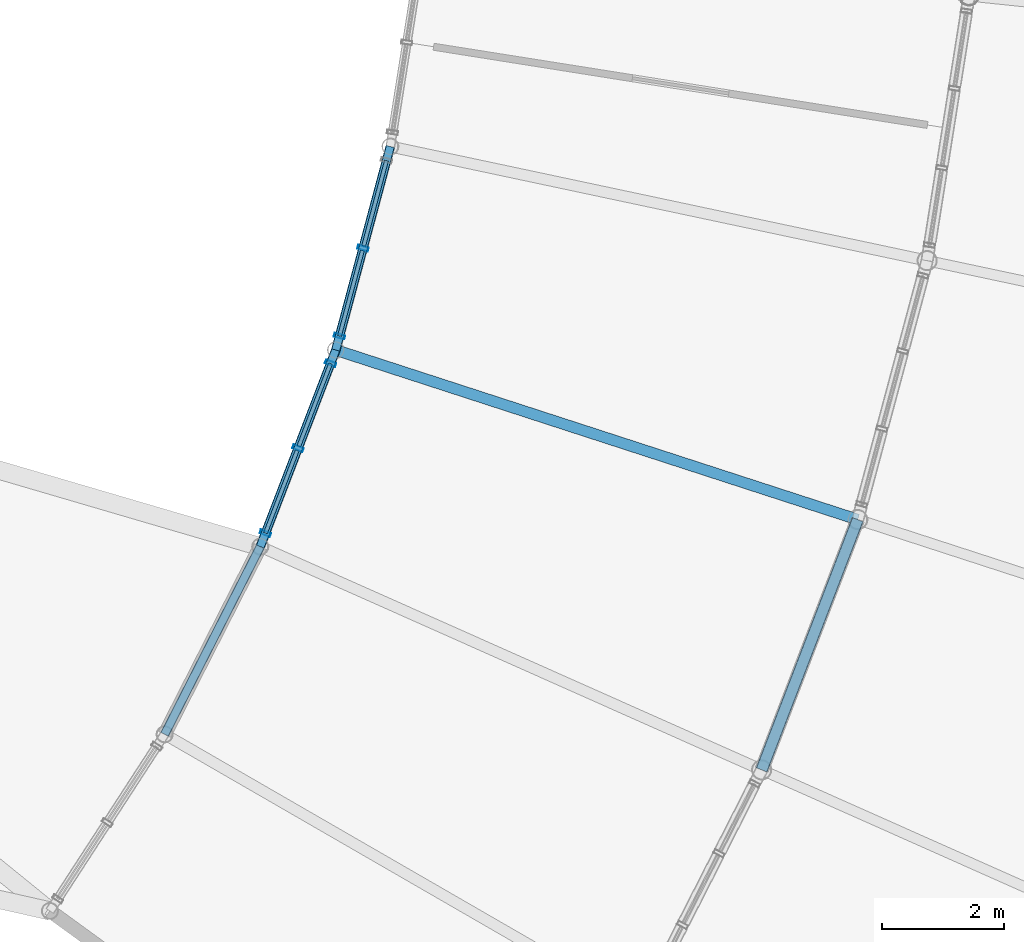
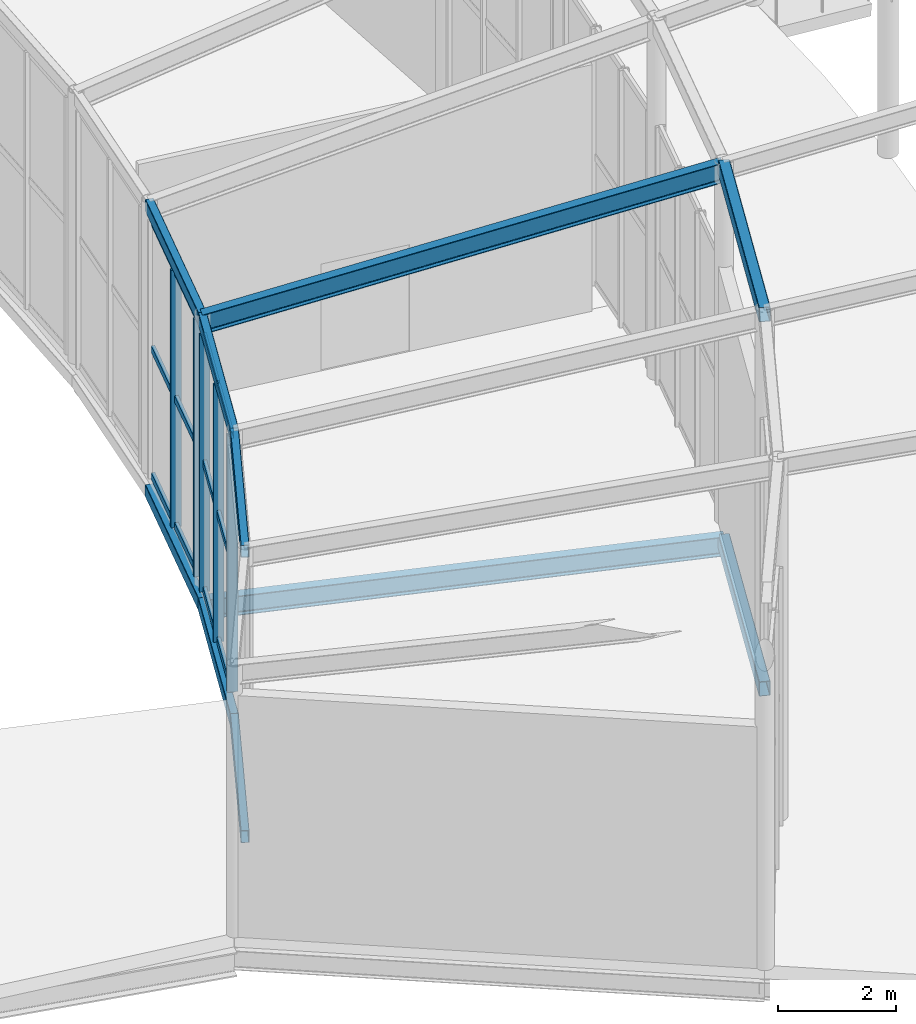
# One storey, part 89 of 158: 17 members, 10 beams, 2 elements without a shape of their own.
"""IFC4 building model written with IfcOpenShell, lengths in metres."""

from ifc_helpers import new_model, si_unit, derived_unit, direction, frame, origin, origin_2d, place, context, subcontext, project, spatial, hollow_rectangle, i_section, extrude, material, material_profile, profile_set, type_object, element, aggregate, save


model = new_model("IFC4")

# Units and contexts
model_context = context("Model", 3, precision=1e-05, world=origin(), true_north=direction((0.0, 1.0)))
body_context = subcontext(model_context, "Body", "Model", "MODEL_VIEW")
ifc_project = project(units=[si_unit("LENGTHUNIT", "METRE"), si_unit("AREAUNIT", "SQUARE_METRE"), si_unit("VOLUMEUNIT", "CUBIC_METRE"), si_unit("PLANEANGLEUNIT", "RADIAN"), si_unit("MASSUNIT", "GRAM", prefix="KILO"), si_unit("THERMODYNAMICTEMPERATUREUNIT", "KELVIN"), si_unit("TIMEUNIT", "SECOND"), derived_unit("THERMALTRANSMITTANCEUNIT", [(si_unit("MASSUNIT", "GRAM", prefix="KILO"), 1), (si_unit("THERMODYNAMICTEMPERATUREUNIT", "KELVIN"), -1), (si_unit("TIMEUNIT", "SECOND"), -3)])], contexts=[model_context])

# Site, building, storey
site_placement = place(None, origin())
site = spatial("IfcSite", under=ifc_project, at=site_placement, CompositionType="ELEMENT")
building_placement = place(site_placement, origin())
building = spatial("IfcBuilding", under=site, at=building_placement, Name="Cambertide Market Hall", CompositionType="ELEMENT")
storey_placement = place(building_placement, origin())
storey = spatial("IfcBuildingStorey", under=building, at=storey_placement, Name="L01", CompositionType="ELEMENT", Elevation=0.0)

# Curtain wall, members
ifc_material_1 = material(Name="Marine Anodized Aluminium 6063-T6 AA25", Category="aluminium")
curtain_wall_type = type_object("IfcCurtainWallType", Name="Promenade Crescent Inner Glazed Wall", PredefinedType="USERDEFINED", material=ifc_material_1)
curtain_wall_1_placement = place(storey_placement, origin())
curtain_wall_1 = element("IfcCurtainWall", 1, at=curtain_wall_1_placement, inside=storey, type_object=curtain_wall_type, Name="Level 1 Curtain Wall CW-V5I-L01-3", ObjectType="UNITIZED CURTAIN WALL", PredefinedType="USERDEFINED")
ifc_material_2 = material(Name="Champagne Marine Anodized Aluminium 6063-T6 AA25", Category="aluminium")
ifc_material_profile_1 = material_profile(ifc_material_2, hollow_rectangle(XDim=0.06494140625, YDim=0.179931640625, WallThickness=0.00390625, at=origin_2d()), Name="ALU MULLION 65x180")
ifc_profile_set_1 = profile_set([ifc_material_profile_1], Name="Champagne Marine Anodized Aluminium 6063-T6 AA25")
member_type_1 = type_object("IfcMemberType", Name="Curtain Wall Mullion ALU MULLION 65x180", PredefinedType="MULLION", material=ifc_profile_set_1)
member_1_placement = place(storey_placement, frame((174.231201171875, 52.797119140625, 0.0), z_axis=(0.0, 0.0, 1.0), x_axis=(0.358368005238, 0.933580405119, 0.0)))
member_1 = element("IfcMember", 2, at=member_1_placement, type_object=member_type_1, Name="CW-V5I-L01-3 Mullion 1", PredefinedType="MULLION", context=body_context, shape_type="SweptSolid", body=[
    extrude(hollow_rectangle(XDim=0.06494140625, YDim=0.179931640625, WallThickness=0.00390625, at=origin_2d()), origin(), (0.0, 0.0, 1.0), 5.300048828125),
])
member_2_placement = place(storey_placement, frame((174.765869140625, 54.190185546875, 0.0), z_axis=(0.0, 0.0, 1.0), x_axis=(0.358368005238, 0.933580405119, 0.0)))
member_2 = element("IfcMember", 3, at=member_2_placement, type_object=member_type_1, Name="CW-V5I-L01-3 Mullion 2", PredefinedType="MULLION", context=body_context, shape_type="SweptSolid", body=[
    extrude(hollow_rectangle(XDim=0.06494140625, YDim=0.179931640625, WallThickness=0.00390625, at=origin_2d()), origin(), (0.0, 0.0, 1.0), 5.300048828125),
])
member_3_placement = place(storey_placement, frame((175.300537109375, 55.5830078125, 0.0), z_axis=(0.0, 0.0, 1.0), x_axis=(0.358368005238, 0.933580405119, 0.0)))
member_3 = element("IfcMember", 4, at=member_3_placement, type_object=member_type_1, Name="CW-V5I-L01-3 Mullion 3", PredefinedType="MULLION", context=body_context, shape_type="SweptSolid", body=[
    extrude(hollow_rectangle(XDim=0.06494140625, YDim=0.179931640625, WallThickness=0.00390625, at=origin_2d()), origin(), (0.0, 0.0, 1.0), 5.300048828125),
])

curtain_wall_2_placement = place(storey_placement, origin())
curtain_wall_2 = element("IfcCurtainWall", 5, at=curtain_wall_2_placement, inside=storey, type_object=curtain_wall_type, Name="Level 1 Curtain Wall CW-V5I-L01-4", ObjectType="UNITIZED CURTAIN WALL", PredefinedType="USERDEFINED")
member_4_placement = place(storey_placement, frame((175.44580078125, 56.029541015625, 0.0), z_axis=(0.0, 0.0, 1.0), x_axis=(0.25881910404, 0.965925810497, 0.0)))
member_4 = element("IfcMember", 6, at=member_4_placement, type_object=member_type_1, Name="CW-V5I-L01-4 Mullion 1", PredefinedType="MULLION", context=body_context, shape_type="SweptSolid", body=[
    extrude(hollow_rectangle(XDim=0.06494140625, YDim=0.179931640625, WallThickness=0.00390625, at=origin_2d()), origin(), (0.0, 0.0, 1.0), 5.300048828125),
])
member_5_placement = place(storey_placement, frame((175.831787109375, 57.470703125, 0.0), z_axis=(0.0, 0.0, 1.0), x_axis=(0.25881910404, 0.965925810497, 0.0)))
member_5 = element("IfcMember", 7, at=member_5_placement, type_object=member_type_1, Name="CW-V5I-L01-4 Mullion 2", PredefinedType="MULLION", context=body_context, shape_type="SweptSolid", body=[
    extrude(hollow_rectangle(XDim=0.06494140625, YDim=0.179931640625, WallThickness=0.00390625, at=origin_2d()), origin(), (0.0, 0.0, 1.0), 5.300048828125),
])

# Member
ifc_material_3 = material(Name="Champagne Marine Anodized Aluminium 6063-T6 AA25", Category="aluminium")
ifc_material_profile_2 = material_profile(ifc_material_3, hollow_rectangle(XDim=0.06494140625, YDim=0.139892578125, WallThickness=0.00341796875, at=origin_2d()), Name="ALU TRANSOM 65x140")
ifc_profile_set_2 = profile_set([ifc_material_profile_2], Name="Champagne Marine Anodized Aluminium 6063-T6 AA25")
member_type_2 = type_object("IfcMemberType", Name="Curtain Wall Transom ALU TRANSOM 65x140", PredefinedType="USERDEFINED", material=ifc_profile_set_2)
member_6_placement = place(storey_placement, frame((174.23291015625, 52.8017578125, 0.034912109375), z_axis=(0.358470341579, 0.933541115435, 0.0), x_axis=(-0.933541115435, 0.358470341579, 0.0)))
member_6 = element("IfcMember", 8, at=member_6_placement, type_object=member_type_2, Name="CW-V5I-L01-3 Transom 1-1", ObjectType="TRANSOM", PredefinedType="USERDEFINED", context=body_context, shape_type="SweptSolid", body=[
    extrude(hollow_rectangle(XDim=0.06494140625, YDim=0.139892578125, WallThickness=0.00341796875, at=origin_2d()), origin(), (0.0, 0.0, 1.0), 1.447265625),
])

member_7_placement = place(storey_placement, frame((174.7802734375, 54.227294921875, 0.034912109375), z_axis=(0.358323313398, 0.933597559484, 0.0), x_axis=(-0.933597559484, 0.358323313398, 0.0)))
member_7 = element("IfcMember", 9, at=member_7_placement, type_object=member_type_2, Name="CW-V5I-L01-3 Transom 1-2", ObjectType="TRANSOM", PredefinedType="USERDEFINED", context=body_context, shape_type="SweptSolid", body=[
    extrude(hollow_rectangle(XDim=0.06494140625, YDim=0.139892578125, WallThickness=0.00341796875, at=origin_2d()), origin(), (0.0, 0.0, 1.0), 1.447265625),
])

member_8_placement = place(storey_placement, frame((174.23291015625, 52.8017578125, 2.64990234375), z_axis=(0.358470341579, 0.933541115435, 0.0), x_axis=(-0.933541115435, 0.358470341579, 0.0)))
member_8 = element("IfcMember", 10, at=member_8_placement, type_object=member_type_2, Name="CW-V5I-L01-3 Transom 2-1", ObjectType="TRANSOM", PredefinedType="USERDEFINED", context=body_context, shape_type="SweptSolid", body=[
    extrude(hollow_rectangle(XDim=0.06494140625, YDim=0.139892578125, WallThickness=0.00341796875, at=origin_2d()), origin(), (0.0, 0.0, 1.0), 1.447265625),
])

member_9_placement = place(storey_placement, frame((174.7802734375, 54.227294921875, 2.64990234375), z_axis=(0.358323313398, 0.933597559484, 0.0), x_axis=(-0.933597559484, 0.358323313398, 0.0)))
member_9 = element("IfcMember", 11, at=member_9_placement, type_object=member_type_2, Name="CW-V5I-L01-3 Transom 2-2", ObjectType="TRANSOM", PredefinedType="USERDEFINED", context=body_context, shape_type="SweptSolid", body=[
    extrude(hollow_rectangle(XDim=0.06494140625, YDim=0.139892578125, WallThickness=0.00341796875, at=origin_2d()), origin(), (0.0, 0.0, 1.0), 1.447265625),
])

member_10_placement = place(storey_placement, frame((174.23291015625, 52.8017578125, 5.264892578125), z_axis=(0.358470341579, 0.933541115435, 0.0), x_axis=(-0.933541115435, 0.358470341579, 0.0)))
member_10 = element("IfcMember", 12, at=member_10_placement, type_object=member_type_2, Name="CW-V5I-L01-3 Transom 3-1", ObjectType="TRANSOM", PredefinedType="USERDEFINED", context=body_context, shape_type="SweptSolid", body=[
    extrude(hollow_rectangle(XDim=0.06494140625, YDim=0.139892578125, WallThickness=0.00341796875, at=origin_2d()), origin(), (0.0, 0.0, 1.0), 1.447265625),
])

member_11_placement = place(storey_placement, frame((174.7802734375, 54.227294921875, 5.264892578125), z_axis=(0.358323313398, 0.933597559484, 0.0), x_axis=(-0.933597559484, 0.358323313398, 0.0)))
member_11 = element("IfcMember", 13, at=member_11_placement, type_object=member_type_2, Name="CW-V5I-L01-3 Transom 3-2", ObjectType="TRANSOM", PredefinedType="USERDEFINED", context=body_context, shape_type="SweptSolid", body=[
    extrude(hollow_rectangle(XDim=0.06494140625, YDim=0.139892578125, WallThickness=0.00341796875, at=origin_2d()), origin(), (0.0, 0.0, 1.0), 1.447265625),
])

aggregate(curtain_wall_1, [member_1, member_2, member_3, member_6, member_7, member_8, member_9, member_10, member_11])

member_12_placement = place(storey_placement, frame((175.447021484375, 56.0341796875, 0.034912109375), z_axis=(0.258775435055, 0.965937510511, 0.0), x_axis=(-0.965937510511, 0.258775435055, 0.0)))
member_12 = element("IfcMember", 14, at=member_12_placement, type_object=member_type_2, Name="CW-V5I-L01-4 Transom 1-1", ObjectType="TRANSOM", PredefinedType="USERDEFINED", context=body_context, shape_type="SweptSolid", body=[
    extrude(hollow_rectangle(XDim=0.06494140625, YDim=0.139892578125, WallThickness=0.00341796875, at=origin_2d()), origin(), (0.0, 0.0, 1.0), 1.447265625),
])

member_13_placement = place(storey_placement, frame((175.84228515625, 57.50927734375, 0.034912109375), z_axis=(0.258817608395, 0.965926211253, 0.0), x_axis=(-0.965926211253, 0.258817608395, 0.0)))
member_13 = element("IfcMember", 15, at=member_13_placement, type_object=member_type_2, Name="CW-V5I-L01-4 Transom 1-2", ObjectType="TRANSOM", PredefinedType="USERDEFINED", context=body_context, shape_type="SweptSolid", body=[
    extrude(hollow_rectangle(XDim=0.06494140625, YDim=0.139892578125, WallThickness=0.00341796875, at=origin_2d()), origin(), (0.0, 0.0, 1.0), 1.447021484375),
])

member_14_placement = place(storey_placement, frame((175.447021484375, 56.0341796875, 2.64990234375), z_axis=(0.258775435055, 0.965937510511, 0.0), x_axis=(-0.965937510511, 0.258775435055, 0.0)))
member_14 = element("IfcMember", 16, at=member_14_placement, type_object=member_type_2, Name="CW-V5I-L01-4 Transom 2-1", ObjectType="TRANSOM", PredefinedType="USERDEFINED", context=body_context, shape_type="SweptSolid", body=[
    extrude(hollow_rectangle(XDim=0.06494140625, YDim=0.139892578125, WallThickness=0.00341796875, at=origin_2d()), origin(), (0.0, 0.0, 1.0), 1.447265625),
])

member_15_placement = place(storey_placement, frame((175.84228515625, 57.50927734375, 2.64990234375), z_axis=(0.258817608395, 0.965926211253, 0.0), x_axis=(-0.965926211253, 0.258817608395, 0.0)))
member_15 = element("IfcMember", 17, at=member_15_placement, type_object=member_type_2, Name="CW-V5I-L01-4 Transom 2-2", ObjectType="TRANSOM", PredefinedType="USERDEFINED", context=body_context, shape_type="SweptSolid", body=[
    extrude(hollow_rectangle(XDim=0.06494140625, YDim=0.139892578125, WallThickness=0.00341796875, at=origin_2d()), origin(), (0.0, 0.0, 1.0), 1.447021484375),
])

member_16_placement = place(storey_placement, frame((175.447021484375, 56.0341796875, 5.264892578125), z_axis=(0.258775435055, 0.965937510511, 0.0), x_axis=(-0.965937510511, 0.258775435055, 0.0)))
member_16 = element("IfcMember", 18, at=member_16_placement, type_object=member_type_2, Name="CW-V5I-L01-4 Transom 3-1", ObjectType="TRANSOM", PredefinedType="USERDEFINED", context=body_context, shape_type="SweptSolid", body=[
    extrude(hollow_rectangle(XDim=0.06494140625, YDim=0.139892578125, WallThickness=0.00341796875, at=origin_2d()), origin(), (0.0, 0.0, 1.0), 1.447265625),
])

member_17_placement = place(storey_placement, frame((175.84228515625, 57.50927734375, 5.264892578125), z_axis=(0.258817608395, 0.965926211253, 0.0), x_axis=(-0.965926211253, 0.258817608395, 0.0)))
member_17 = element("IfcMember", 19, at=member_17_placement, type_object=member_type_2, Name="CW-V5I-L01-4 Transom 3-2", ObjectType="TRANSOM", PredefinedType="USERDEFINED", context=body_context, shape_type="SweptSolid", body=[
    extrude(hollow_rectangle(XDim=0.06494140625, YDim=0.139892578125, WallThickness=0.00341796875, at=origin_2d()), origin(), (0.0, 0.0, 1.0), 1.447021484375),
])

aggregate(curtain_wall_2, [member_4, member_5, member_12, member_13, member_14, member_15, member_16, member_17])

# Beams
ifc_material_4 = material(Name="Steel S355", Category="steel")
ifc_material_profile_3 = material_profile(ifc_material_4, i_section(OverallWidth=0.179931640625, OverallDepth=0.39990234375, WebThickness=0.008544921875, FlangeThickness=0.013427734375, FilletRadius=0.02099609375, at=origin_2d()), Name="IPE 400")
ifc_profile_set_3 = profile_set([ifc_material_profile_3], Name="Steel S355")
beam_type_1 = type_object("IfcBeamType", Name="Exterior Steel Girder IPE 400", PredefinedType="BEAM", material=ifc_profile_set_3)
beam_1_placement = place(storey_placement, frame((175.384765625, 55.802490234375, 5.3798828125), z_axis=(0.931981751102, -0.302827612908, 0.199262270572), x_axis=(0.309024734286, 0.951054001411, 0.0)))
element("IfcBeam", 20, at=beam_1_placement, inside=storey, type_object=beam_type_1, Name="BM-V5R1-CAN-4", PredefinedType="BEAM", context=body_context, shape_type="SweptSolid", body=[
    extrude(i_section(OverallWidth=0.179931640625, OverallDepth=0.39990234375, WebThickness=0.008544921875, FlangeThickness=0.013427734375, FilletRadius=0.02099609375, at=origin_2d()), origin(), (0.0, 0.0, 1.0), 9.184326171875),
])
ifc_material_5 = material(Name="Steel S355", Category="steel")
ifc_material_profile_4 = material_profile(ifc_material_5, hollow_rectangle(XDim=0.14990234375, YDim=0.25, WallThickness=0.008056640625, InnerFilletRadius=0.008056640625, OuterFilletRadius=0.01611328125, at=origin_2d()), Name="RHS 250x150x8")
ifc_profile_set_4 = profile_set([ifc_material_profile_4], Name="Steel S355")
beam_type_2 = type_object("IfcBeamType", Name="Exterior Steel Girder RHS 250x150x8", PredefinedType="BEAM", material=ifc_profile_set_4)
beam_2_placement = place(storey_placement, frame((172.578857421875, 49.5, 5.455078125), z_axis=(0.453986133197, 0.891008749039, 0.0), x_axis=(-0.891008749039, 0.453986133197, 0.0)))
element("IfcBeam", 21, at=beam_2_placement, inside=storey, type_object=beam_type_2, Name="Level 1 Beam BM-V5C-CAN-IN-2", PredefinedType="BEAM", context=body_context, shape_type="SweptSolid", body=[
    extrude(hollow_rectangle(XDim=0.14990234375, YDim=0.25, WallThickness=0.008056640625, InnerFilletRadius=0.008056640625, OuterFilletRadius=0.01611328125, at=origin_2d()), origin(), (0.0, 0.0, 1.0), 3.4541015625),
])
beam_3_placement = place(storey_placement, frame((174.14697265625, 52.57763671875, 5.455078125), z_axis=(0.358339610363, 0.933591304396, 0.0), x_axis=(-0.933591304396, 0.358339610363, 0.0)))
element("IfcBeam", 22, at=beam_3_placement, inside=storey, type_object=beam_type_2, Name="Level 1 Beam BM-V5C-CAN-IN-3", PredefinedType="BEAM", context=body_context, shape_type="SweptSolid", body=[
    extrude(hollow_rectangle(XDim=0.14990234375, YDim=0.25, WallThickness=0.008056640625, InnerFilletRadius=0.008056640625, OuterFilletRadius=0.01611328125, at=origin_2d()), origin(), (0.0, 0.0, 1.0), 3.454345703125),
])
beam_4_placement = place(storey_placement, frame((175.384765625, 55.802490234375, 5.455078125), z_axis=(0.258832652121, 0.965922180197, 0.0), x_axis=(-0.965922180197, 0.258832652121, 0.0)))
element("IfcBeam", 23, at=beam_4_placement, inside=storey, type_object=beam_type_2, Name="Level 1 Beam BM-V5C-CAN-IN-4", PredefinedType="BEAM", context=body_context, shape_type="SweptSolid", body=[
    extrude(hollow_rectangle(XDim=0.14990234375, YDim=0.25, WallThickness=0.008056640625, InnerFilletRadius=0.008056640625, OuterFilletRadius=0.01611328125, at=origin_2d()), origin(), (0.0, 0.0, 1.0), 3.4541015625),
])
ifc_material_6 = material(Name="Steel S355", Category="steel")
ifc_material_profile_5 = material_profile(ifc_material_6, hollow_rectangle(XDim=0.199951171875, YDim=0.300048828125, WallThickness=0.010009765625, InnerFilletRadius=0.010009765625, OuterFilletRadius=0.02001953125, at=origin_2d()), Name="RHS 300x200x10")
ifc_profile_set_5 = profile_set([ifc_material_profile_5], Name="Steel S355")
beam_type_3 = type_object("IfcBeamType", Name="Exterior Steel Girder RHS 300x200x10", PredefinedType="BEAM", material=ifc_profile_set_5)
beam_5_placement = place(storey_placement, frame((182.368896484375, 48.9169921875, 7.260009765625), z_axis=(0.358361255886, 0.933582995925, 0.0), x_axis=(-0.933582995925, 0.358361255886, 0.0)))
element("IfcBeam", 24, at=beam_5_placement, inside=storey, type_object=beam_type_3, Name="Level 1 Beam BM-V5C-CAN-MID-3", PredefinedType="BEAM", context=body_context, shape_type="SweptSolid", body=[
    extrude(hollow_rectangle(XDim=0.199951171875, YDim=0.300048828125, WallThickness=0.010009765625, InnerFilletRadius=0.010009765625, OuterFilletRadius=0.02001953125, at=origin_2d()), origin(), (0.0, 0.0, 1.0), 4.396240234375),
])
ifc_material_7 = material(Name="Steel S355", Category="steel")
ifc_material_profile_6 = material_profile(ifc_material_7, i_section(OverallWidth=0.179931640625, OverallDepth=0.39990234375, WebThickness=0.008544921875, FlangeThickness=0.013427734375, FilletRadius=0.02099609375, at=origin_2d()), Name="IPE 400")
ifc_profile_set_6 = profile_set([ifc_material_profile_6], Name="Steel S355")
beam_type_4 = type_object("IfcBeamType", Name="Steel Girder IPE 400", PredefinedType="BEAM", material=ifc_profile_set_6)
beam_6_placement = place(storey_placement, frame((175.384765625, 55.802490234375, -0.5), z_axis=(0.951054001411, -0.309024734286, 0.0), x_axis=(0.309024734286, 0.951054001411, 0.0)))
element("IfcBeam", 25, at=beam_6_placement, inside=storey, type_object=beam_type_4, Name="Level 1 Beam BM-V5R1-FLR-4", PredefinedType="BEAM", context=body_context, shape_type="SweptSolid", body=[
    extrude(i_section(OverallWidth=0.179931640625, OverallDepth=0.39990234375, WebThickness=0.008544921875, FlangeThickness=0.013427734375, FilletRadius=0.02099609375, at=origin_2d()), origin(), (0.0, 0.0, 1.0), 9.0),
])
ifc_material_8 = material(Name="Steel S355", Category="steel")
ifc_material_profile_7 = material_profile(ifc_material_8, hollow_rectangle(XDim=0.14990234375, YDim=0.25, WallThickness=0.008056640625, InnerFilletRadius=0.008056640625, OuterFilletRadius=0.01611328125, at=origin_2d()), Name="RHS 250x150x8")
ifc_profile_set_7 = profile_set([ifc_material_profile_7], Name="Steel S355")
beam_type_5 = type_object("IfcBeamType", Name="Steel Girder RHS 250x150x8", PredefinedType="BEAM", material=ifc_profile_set_7)
beam_7_placement = place(storey_placement, frame((172.578857421875, 49.5, -0.425048828125), z_axis=(0.453986133197, 0.891008749039, 0.0), x_axis=(-0.891008749039, 0.453986133197, 0.0)))
element("IfcBeam", 26, at=beam_7_placement, inside=storey, type_object=beam_type_5, Name="Level 1 Beam BM-V5C-FLR-IN-2", PredefinedType="BEAM", context=body_context, shape_type="SweptSolid", body=[
    extrude(hollow_rectangle(XDim=0.14990234375, YDim=0.25, WallThickness=0.008056640625, InnerFilletRadius=0.008056640625, OuterFilletRadius=0.01611328125, at=origin_2d()), origin(), (0.0, 0.0, 1.0), 3.4541015625),
])
beam_8_placement = place(storey_placement, frame((174.14697265625, 52.57763671875, -0.425048828125), z_axis=(0.358339610363, 0.933591304396, 0.0), x_axis=(-0.933591304396, 0.358339610363, 0.0)))
element("IfcBeam", 27, at=beam_8_placement, inside=storey, type_object=beam_type_5, Name="Level 1 Beam BM-V5C-FLR-IN-3", PredefinedType="BEAM", context=body_context, shape_type="SweptSolid", body=[
    extrude(hollow_rectangle(XDim=0.14990234375, YDim=0.25, WallThickness=0.008056640625, InnerFilletRadius=0.008056640625, OuterFilletRadius=0.01611328125, at=origin_2d()), origin(), (0.0, 0.0, 1.0), 3.454345703125),
])
beam_9_placement = place(storey_placement, frame((175.384765625, 55.802490234375, -0.425048828125), z_axis=(0.258832652121, 0.965922180197, 0.0), x_axis=(-0.965922180197, 0.258832652121, 0.0)))
element("IfcBeam", 28, at=beam_9_placement, inside=storey, type_object=beam_type_5, Name="Level 1 Beam BM-V5C-FLR-IN-4", PredefinedType="BEAM", context=body_context, shape_type="SweptSolid", body=[
    extrude(hollow_rectangle(XDim=0.14990234375, YDim=0.25, WallThickness=0.008056640625, InnerFilletRadius=0.008056640625, OuterFilletRadius=0.01611328125, at=origin_2d()), origin(), (0.0, 0.0, 1.0), 3.4541015625),
])
ifc_material_9 = material(Name="Steel S355", Category="steel")
ifc_material_profile_8 = material_profile(ifc_material_9, hollow_rectangle(XDim=0.199951171875, YDim=0.300048828125, WallThickness=0.010009765625, InnerFilletRadius=0.010009765625, OuterFilletRadius=0.02001953125, at=origin_2d()), Name="RHS 300x200x10")
ifc_profile_set_8 = profile_set([ifc_material_profile_8], Name="Steel S355")
beam_type_6 = type_object("IfcBeamType", Name="Steel Girder RHS 300x200x10", PredefinedType="BEAM", material=ifc_profile_set_8)
beam_10_placement = place(storey_placement, frame((182.368896484375, 48.9169921875, -0.449951171875), z_axis=(0.358361255886, 0.933582995925, 0.0), x_axis=(-0.933582995925, 0.358361255886, 0.0)))
element("IfcBeam", 29, at=beam_10_placement, inside=storey, type_object=beam_type_6, Name="Level 1 Beam BM-V5C-FLR-MID-3", PredefinedType="BEAM", context=body_context, shape_type="SweptSolid", body=[
    extrude(hollow_rectangle(XDim=0.199951171875, YDim=0.300048828125, WallThickness=0.010009765625, InnerFilletRadius=0.010009765625, OuterFilletRadius=0.02001953125, at=origin_2d()), origin(), (0.0, 0.0, 1.0), 4.396240234375),
])

save(model, "model.ifc")
